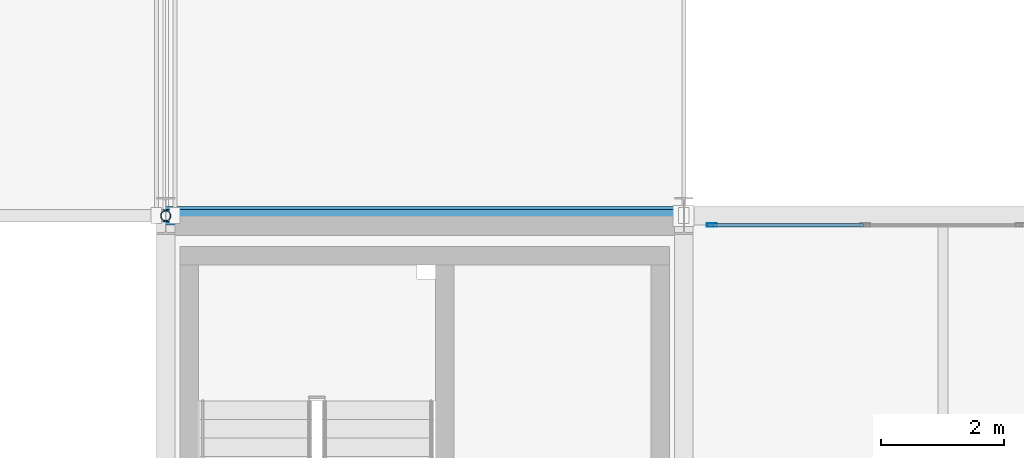
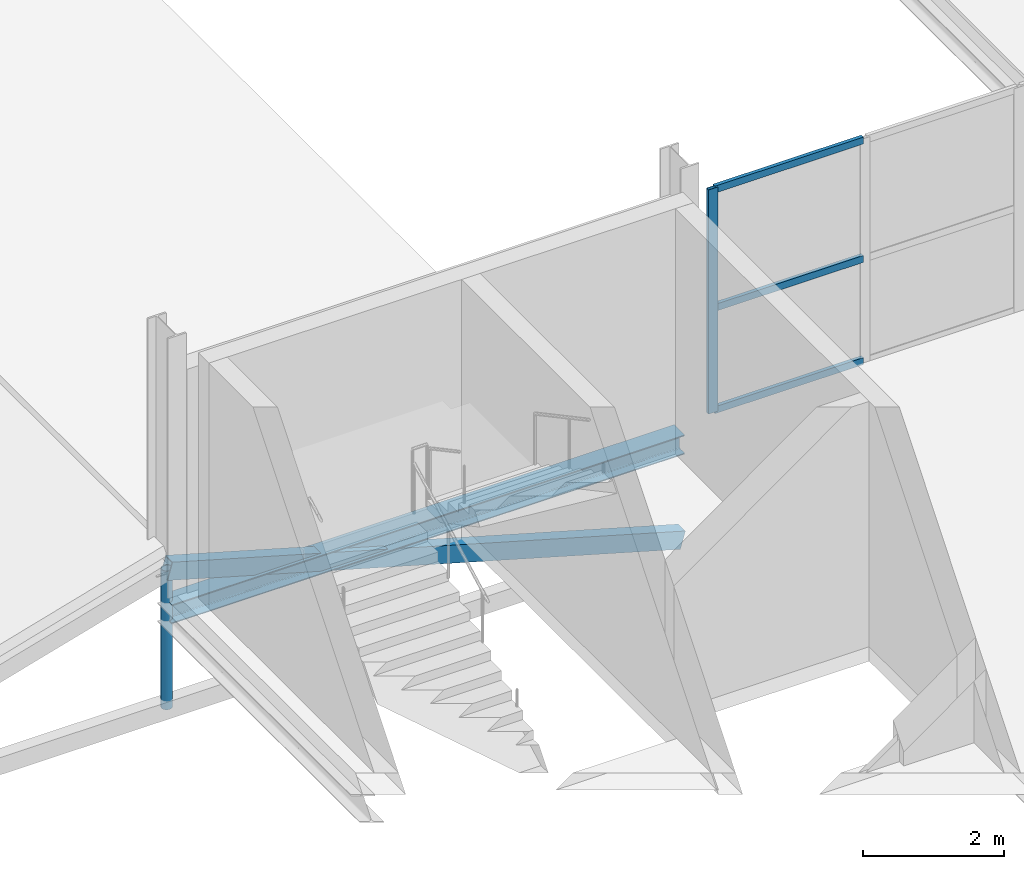
# One storey, part 65 of 130: 6 members, 1 beam, 1 element without a shape of its own.
"""IFC4 building model written with IfcOpenShell, lengths in metres."""

from ifc_helpers import new_model, si_unit, direction, frame, origin, origin_2d, place, context, subcontext, project, spatial, hollow_rectangle, hollow_circle, i_section, extrude, material, material_profile, profile_set, type_object, element, aggregate, save


model = new_model("IFC4")

# Units and contexts
model_context = context("Model", 3, precision=1e-05, world=origin(), true_north=direction((0.0, 1.0)))
body_context = subcontext(model_context, "Body", "Model", "MODEL_VIEW")
ifc_project = project(units=[si_unit("LENGTHUNIT", "METRE"), si_unit("AREAUNIT", "SQUARE_METRE"), si_unit("VOLUMEUNIT", "CUBIC_METRE"), si_unit("PLANEANGLEUNIT", "RADIAN"), si_unit("MASSUNIT", "GRAM", prefix="KILO")], contexts=[model_context])

# Site, building, storey
site_placement = place(None, origin())
site = spatial("IfcSite", under=ifc_project, at=site_placement, CompositionType="ELEMENT")
building_placement = place(site_placement, origin())
building = spatial("IfcBuilding", under=site, at=building_placement, Name="Veltarok Museum of Natural Sciences", CompositionType="ELEMENT")
storey_placement = place(building_placement, frame((0.0, 0.0, 12.89990234375)))
storey = spatial("IfcBuildingStorey", under=building, at=storey_placement, Name="L02", CompositionType="ELEMENT", Elevation=12.89990234375)

# Curtain wall, members
ifc_material_1 = material(Name="Low-iron triple insulated glass", Category="glass")
curtain_wall_type = type_object("IfcCurtainWallType", Name="Curtain Wall System CW-V2N-L02-6-756x388 (V2 North Hall L02 6-7 756x388cm)", PredefinedType="NOTDEFINED", material=ifc_material_1)
curtain_wall_placement = place(storey_placement, origin())
curtain_wall = element("IfcCurtainWall", 1, at=curtain_wall_placement, inside=storey, type_object=curtain_wall_type, Name="Curtain Wall CW-V2N-L02-6-756x388 CW-0049", PredefinedType="NOTDEFINED")
ifc_material_2 = material(Name="Thermally broken anodised aluminium", Category="aluminium")
ifc_material_profile_1 = material_profile(ifc_material_2, hollow_rectangle(XDim=0.06005859375, YDim=0.1201171875, WallThickness=0.0048828125, at=origin_2d()), Name="CW TRANSOM 60x120x5")
ifc_profile_set_1 = profile_set([ifc_material_profile_1], Name="Thermally broken anodised aluminium")
member_type_1 = type_object("IfcMemberType", Name="Curtain Wall Horizontal Transom 60x120x5", PredefinedType="USERDEFINED", material=ifc_profile_set_1)
member_1_placement = place(storey_placement, frame((51.31005859375, 71.85009765625, 0.030029296875), z_axis=(-1.0, 0.0, 0.0), x_axis=(0.0, -1.0, 0.0)))
member_1 = element("IfcMember", 2, at=member_1_placement, type_object=member_type_1, Name="CW-V2N-L02-6-756x388 transom 3.1", ObjectType="TRANSOM", PredefinedType="USERDEFINED", context=body_context, shape_type="SweptSolid", body=[
    extrude(hollow_rectangle(XDim=0.06005859375, YDim=0.1201171875, WallThickness=0.0048828125, at=origin_2d()), origin(), (0.0, 0.0, 1.0), 2.43017578125),
])
member_2_placement = place(storey_placement, frame((51.31005859375, 71.85009765625, 1.800048828125), z_axis=(-1.0, 0.0, 0.0), x_axis=(0.0, -1.0, 0.0)))
member_2 = element("IfcMember", 3, at=member_2_placement, type_object=member_type_1, Name="CW-V2N-L02-6-756x388 transom 3.2", ObjectType="TRANSOM", PredefinedType="USERDEFINED", context=body_context, shape_type="SweptSolid", body=[
    extrude(hollow_rectangle(XDim=0.06005859375, YDim=0.1201171875, WallThickness=0.0048828125, at=origin_2d()), origin(), (0.0, 0.0, 1.0), 2.43017578125),
])
member_3_placement = place(storey_placement, frame((51.31005859375, 71.85009765625, 3.85009765625), z_axis=(-1.0, 0.0, 0.0), x_axis=(0.0, -1.0, 0.0)))
member_3 = element("IfcMember", 4, at=member_3_placement, type_object=member_type_1, Name="CW-V2N-L02-6-756x388 transom 3.3", ObjectType="TRANSOM", PredefinedType="USERDEFINED", context=body_context, shape_type="SweptSolid", body=[
    extrude(hollow_rectangle(XDim=0.06005859375, YDim=0.1201171875, WallThickness=0.0048828125, at=origin_2d()), origin(), (0.0, 0.0, 1.0), 2.43017578125),
])
ifc_material_profile_2 = material_profile(ifc_material_2, hollow_rectangle(XDim=0.06005859375, YDim=0.159912109375, WallThickness=0.0048828125, at=origin_2d()), Name="CW MULLION 60x160x5")
ifc_profile_set_2 = profile_set([ifc_material_profile_2], Name="Thermally broken anodised aluminium")
member_type_2 = type_object("IfcMemberType", Name="Curtain Wall Vertical Mullion 60x160x5", PredefinedType="MULLION", material=ifc_profile_set_2)
member_4_placement = place(storey_placement, frame((48.85009765625, 71.85009765625, 0.0), z_axis=(0.0, 0.0, 1.0), x_axis=(0.0, -1.0, 0.0)))
member_4 = element("IfcMember", 5, at=member_4_placement, type_object=member_type_2, Name="CW-V2N-L02-6-756x388 mullion 4", PredefinedType="MULLION", context=body_context, shape_type="SweptSolid", body=[
    extrude(hollow_rectangle(XDim=0.06005859375, YDim=0.159912109375, WallThickness=0.0048828125, at=origin_2d()), origin(), (0.0, 0.0, 1.0), 3.880126953125),
])
aggregate(curtain_wall, [member_4, member_1, member_2, member_3])

# Member
ifc_material_3 = material(Name="Oxide-red painted Steel S355J2", Category="steel")
ifc_material_profile_3 = material_profile(ifc_material_3, hollow_rectangle(XDim=0.199951171875, YDim=0.300048828125, WallThickness=0.012451171875, at=origin_2d()), Name="RHS 300x200x12.5")
ifc_profile_set_3 = profile_set([ifc_material_profile_3], Name="Oxide-red painted Steel S355J2")
member_type_3 = type_object("IfcMemberType", Name="Passage Portal Chord RHS 300x200x12.5", PredefinedType="CHORD", material=ifc_profile_set_3)
member_5_placement = place(storey_placement, frame((40.0, 72.0, 0.300048828125), z_axis=(0.96152605678, 0.0, -0.274713745804), x_axis=(0.0, 1.0, 0.0)))
element("IfcMember", 6, at=member_5_placement, inside=storey, type_object=member_type_3, Name="Passage Portal Chord Y=72.0 2", PredefinedType="CHORD", context=body_context, shape_type="SweptSolid", body=[
    extrude(hollow_rectangle(XDim=0.199951171875, YDim=0.300048828125, WallThickness=0.012451171875, at=origin_2d()), origin(), (0.0, 0.0, 1.0), 8.736083984375),
])

# Beam
ifc_material_4 = material(Name="Steel S355J2", Category="steel")
ifc_material_profile_4 = material_profile(ifc_material_4, i_section(OverallWidth=0.300048828125, OverallDepth=0.330078125, WebThickness=0.009521484375, FlangeThickness=0.0166015625, FilletRadius=0.027099609375, at=origin_2d()), Name="HEA 340")
ifc_profile_set_4 = profile_set([ifc_material_profile_4], Name="Steel S355J2")
beam_type = type_object("IfcBeamType", Name="Perimeter Upper Spandrel HEA 340", PredefinedType="SPANDREL", material=ifc_profile_set_4)
beam_placement = place(storey_placement, frame((40.0, 72.0, -0.414794921875), z_axis=(1.0, 0.0, 0.0), x_axis=(0.0, 1.0, 0.0)))
element("IfcBeam", 7, at=beam_placement, inside=storey, type_object=beam_type, Name="Beam BM-SP05 L02 5-6/H", PredefinedType="SPANDREL", context=body_context, shape_type="SweptSolid", body=[
    extrude(i_section(OverallWidth=0.300048828125, OverallDepth=0.330078125, WebThickness=0.009521484375, FlangeThickness=0.0166015625, FilletRadius=0.027099609375, at=origin_2d()), origin(), (0.0, 0.0, 1.0), 8.39990234375),
])

# Member
ifc_material_profile_5 = material_profile(ifc_material_3, hollow_circle(Radius=0.084228515625, WallThickness=0.008056640625, at=origin_2d()), Name="CHS 168.3x8")
ifc_profile_set_5 = profile_set([ifc_material_profile_5], Name="Oxide-red painted Steel S355J2")
member_type_4 = type_object("IfcMemberType", Name="Sawtooth Truss Vertical Strut CHS 168.3x8", PredefinedType="STRUT", material=ifc_profile_set_5)
member_6_placement = place(storey_placement, frame((40.0, 72.0, -2.099853515625), z_axis=(0.0, 0.0, 1.0), x_axis=(1.0, 0.0, 0.0)))
element("IfcMember", 8, at=member_6_placement, inside=storey, type_object=member_type_4, Name="Passage Portal King-Post Y=72.0", PredefinedType="STRUT", context=body_context, shape_type="SweptSolid", body=[
    extrude(hollow_circle(Radius=0.084228515625, WallThickness=0.008056640625, at=origin_2d()), origin(), (0.0, 0.0, 1.0), 2.39990234375),
])

save(model, "model.ifc")
